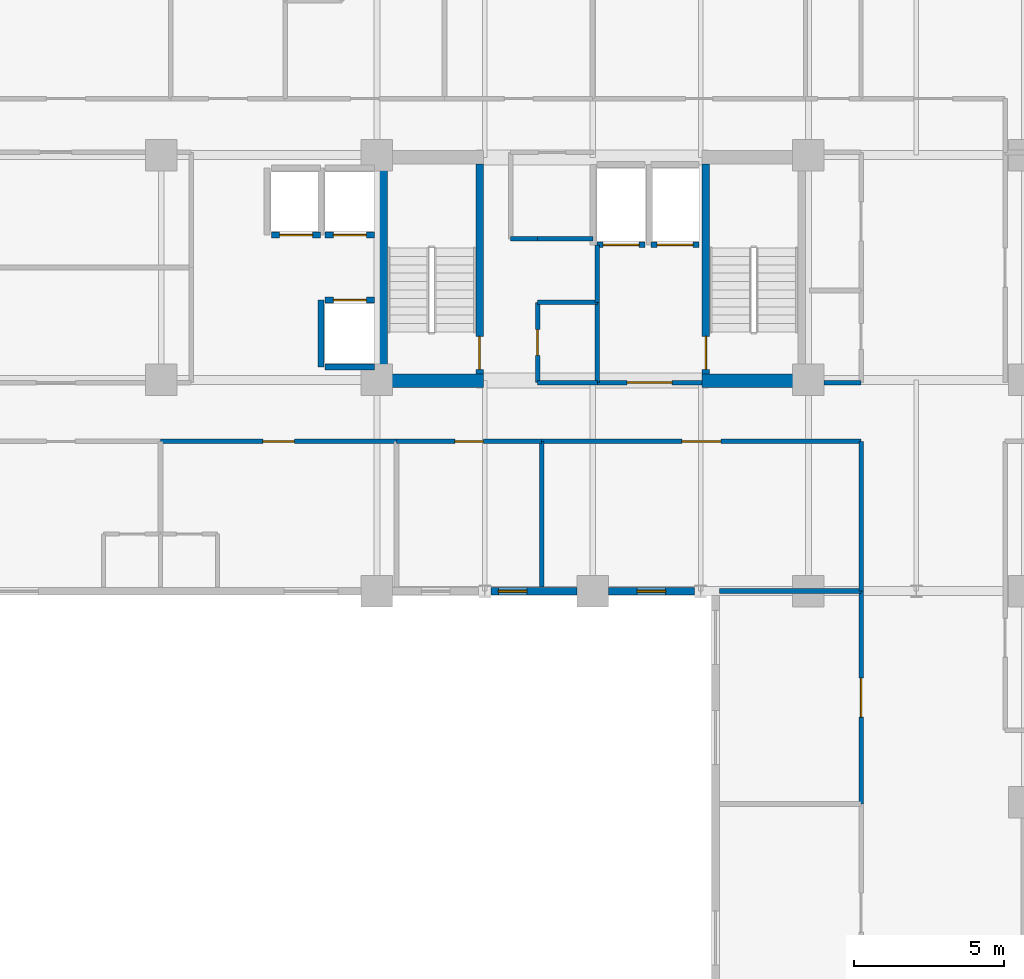
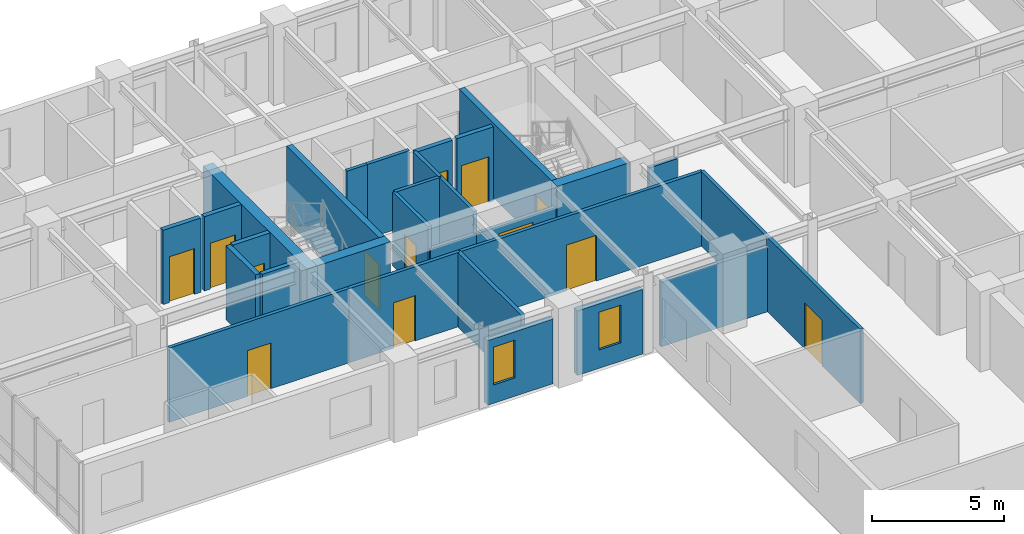
# One storey, part 11 of 19: 30 walls, 13 doors, 2 windows, 15 openings.
"""IFC4 building model written with IfcOpenShell, lengths in metres."""

from ifc_helpers import new_model, si_unit, direction, frame, frame_2d, origin, place, context, subcontext, project, spatial, rectangle, extrude, material, layer, layer_set, type_object, element, fill, save


model = new_model("IFC4")

# Units and contexts
model_context = context("Model", 3, precision=1e-05, world=origin(), true_north=direction((0.0, 1.0)))
body_context = subcontext(model_context, "Body", "Model", "MODEL_VIEW")
ifc_project = project(units=[si_unit("LENGTHUNIT", "METRE"), si_unit("AREAUNIT", "SQUARE_METRE"), si_unit("VOLUMEUNIT", "CUBIC_METRE"), si_unit("PLANEANGLEUNIT", "RADIAN"), si_unit("MASSUNIT", "GRAM", prefix="KILO")], contexts=[model_context])

# Site, building, storey
site_placement = place(None, origin())
site = spatial("IfcSite", under=ifc_project, at=site_placement, CompositionType="ELEMENT")
building_placement = place(site_placement, origin())
building = spatial("IfcBuilding", under=site, at=building_placement, Name="Kaliganga Portal Commons", CompositionType="ELEMENT")
storey_placement = place(building_placement, frame((0.0, 0.0, 184.60009765625)))
storey = spatial("IfcBuildingStorey", under=building, at=storey_placement, Name="L47", CompositionType="ELEMENT", Elevation=184.60009765625)

# Walls
ifc_material_1 = material(Name="Concrete C60/75", Category="concrete")
ifc_layer_1 = layer(ifc_material_1, 0.449951171875)
ifc_layer_set_1 = layer_set([ifc_layer_1], Name="Concrete C60/75")
wall_type_1 = type_object("IfcWallType", Name="WL-CORE-450", PredefinedType="SHEAR", material=ifc_layer_set_1)
wall_1_placement = place(storey_placement, frame((14.52490234375, 28.39990234375, 0.0), z_axis=(0.0, 0.0, 1.0), x_axis=(0.0, 1.0, 0.0)))
element("IfcWall", 1, at=wall_1_placement, inside=storey, type_object=wall_type_1, Name="Core A West Shear Wall L47", PredefinedType="SHEAR", context=body_context, shape_type="SweptSolid", body=[
    extrude(rectangle(XDim=7.900146484375, YDim=0.449951171875, at=frame_2d((3.9501953125, 0.0))), origin(), (0.0, 0.0, 1.0), 3.4599609375),
])
for number, where, z_axis, x_axis, name in (
    (2, (14.75, 28.625, 0.0), (0.0, 0.0, 1.0), (1.0, 0.0, 0.0), "Core A S-West Shear Wall L47"),
    (3, (25.25, 28.625, 0.0), (0.0, 0.0, 1.0), (1.0, 0.0, 0.0), "Core A S-East Shear Wall L47"),
):
    element("IfcWall", number, at=place(storey_placement, frame(where, z_axis=z_axis, x_axis=x_axis)), inside=storey, type_object=wall_type_1, Name=name, PredefinedType="SHEAR", context=body_context, shape_type="SweptSolid", body=[
        extrude(rectangle(XDim=3.199951171875, YDim=0.449951171875, at=frame_2d((1.60009765625, 0.0))), origin(), (0.0, 0.0, 1.0), 3.4599609375),
    ])

# Wall, opening, window
ifc_material_2 = material(Name="Insulated Aluminium-Clad Spandrel Assembly", Category="aluminium")
ifc_layer_2 = layer(ifc_material_2, 0.260009765625)
ifc_layer_set_2 = layer_set([ifc_layer_2], Name="Insulated Aluminium-Clad Spandrel Assembly")
wall_type_2 = type_object("IfcWallType", Name="WL-EXT-SPAND-260", PredefinedType="STANDARD", material=ifc_layer_set_2)
wall_2_placement = place(storey_placement, frame((21.073974609375, 21.60009765625, 0.0), z_axis=(0.0, 0.0, 1.0), x_axis=(-1.0, 0.0, 0.0)))
wall_2 = element("IfcWall", 4, at=wall_2_placement, inside=storey, type_object=wall_type_2, Name="Exterior Envelope Wall L47 P1-E04-S3", PredefinedType="STANDARD", context=body_context, shape_type="SweptSolid", body=[
    extrude(rectangle(XDim=2.87109375, YDim=0.260009765625, at=frame_2d((1.435546875, 0.0))), origin(), (0.0, 0.0, 1.0), 2.989990234375),
])
opening_1_placement = place(wall_2_placement, frame((1.672607421875, 0.0, 0.85009765625)))
opening_1 = element("IfcOpeningElement", 5, at=opening_1_placement, cuts=wall_2, Name="Opening W-04", PredefinedType="OPENING", context=body_context, shape_type="SweptSolid", body=[
    extrude(rectangle(XDim=0.949951171875, YDim=1.75, at=frame_2d((0.47509765625, 0.875))), frame((0.0, 0.14013671875, 0.0), z_axis=(0.0, -1.0, 0.0), x_axis=(1.0, 0.0, 0.0)), (0.0, 0.0, 1.0), 0.280029296875),
])
ifc_material_3 = material(Name="Thermally Broken Aluminium and Low-E Double Glazing", Category="aluminium")
window_type = type_object("IfcWindowType", Name="WIN-NARROW-950", PartitioningType="SINGLE_PANEL", PredefinedType="WINDOW", material=ifc_material_3)
window_1_placement = place(opening_1_placement, origin())
window_1 = element("IfcWindow", 6, at=window_1_placement, inside=storey, type_object=window_type, Name="Facade Window L47-P1E04S3-N2", OverallHeight=1.75, OverallWidth=0.949951171875, PartitioningType="SINGLE_PANEL", PredefinedType="WINDOW", context=body_context, shape_type="SweptSolid", body=[
    extrude(rectangle(XDim=0.949951171875, YDim=1.75, at=frame_2d((0.47509765625, 0.875))), frame((0.0, 0.030029296875, 0.0), z_axis=(0.0, -1.0, 0.0), x_axis=(1.0, 0.0, 0.0)), (0.0, 0.0, 1.0), 0.06005859375),
])
fill(opening_1, window_1)

wall_3_placement = place(storey_placement, frame((24.9970703125, 21.60009765625, 0.0), z_axis=(0.0, 0.0, 1.0), x_axis=(-1.0, 0.0, 0.0)))
wall_3 = element("IfcWall", 7, at=wall_3_placement, inside=storey, type_object=wall_type_2, Name="Exterior Envelope Wall L47 P1-E04-S4", PredefinedType="STANDARD", context=body_context, shape_type="SweptSolid", body=[
    extrude(rectangle(XDim=2.87109375, YDim=0.260009765625, at=frame_2d((1.435546875, 0.0))), origin(), (0.0, 0.0, 1.0), 2.989990234375),
])
opening_2_placement = place(wall_3_placement, frame((0.96044921875, 0.0, 0.85009765625)))
opening_2 = element("IfcOpeningElement", 8, at=opening_2_placement, cuts=wall_3, Name="Opening W-04", PredefinedType="OPENING", context=body_context, shape_type="SweptSolid", body=[
    extrude(rectangle(XDim=0.949951171875, YDim=1.75, at=frame_2d((0.47509765625, 0.875))), frame((0.0, 0.14013671875, 0.0), z_axis=(0.0, -1.0, 0.0), x_axis=(1.0, 0.0, 0.0)), (0.0, 0.0, 1.0), 0.280029296875),
])
window_2_placement = place(opening_2_placement, origin())
window_2 = element("IfcWindow", 9, at=window_2_placement, inside=storey, type_object=window_type, Name="Facade Window L47-P1E04S4-00", OverallHeight=1.75, OverallWidth=0.949951171875, PartitioningType="SINGLE_PANEL", PredefinedType="WINDOW", context=body_context, shape_type="SweptSolid", body=[
    extrude(rectangle(XDim=0.949951171875, YDim=1.75, at=frame_2d((0.47509765625, 0.875))), frame((0.0, 0.030029296875, 0.0), z_axis=(0.0, -1.0, 0.0), x_axis=(1.0, 0.0, 0.0)), (0.0, 0.0, 1.0), 0.06005859375),
])
fill(opening_2, window_2)

# Wall, opening, door
ifc_material_4 = material(Name="Fire-Rated Gypsum Board on Steel Stud", Category="steel")
ifc_layer_3 = layer(ifc_material_4, 0.14990234375)
ifc_layer_set_3 = layer_set([ifc_layer_3], Name="Fire-Rated Gypsum Board on Steel Stud")
wall_type_3 = type_object("IfcWallType", Name="WL-PART-CORR-150", PredefinedType="PARTITIONING", material=ifc_layer_set_3)
wall_4_placement = place(storey_placement, frame((19.89990234375, 26.60009765625, 0.0), z_axis=(0.0, 0.0, 1.0), x_axis=(1.0, 0.0, 0.0)))
wall_4 = element("IfcWall", 10, at=wall_4_placement, inside=storey, type_object=wall_type_3, Name="Interior Partition L47-010", PredefinedType="PARTITIONING", context=body_context, shape_type="SweptSolid", body=[
    extrude(rectangle(XDim=10.66015625, YDim=0.14990234375, at=frame_2d((5.330078125, 0.0))), origin(), (0.0, 0.0, 1.0), 3.43994140625),
])
opening_3_placement = place(wall_4_placement, frame((4.679931640625, 0.0, 0.0)))
opening_3 = element("IfcOpeningElement", 11, at=opening_3_placement, cuts=wall_4, Name="Opening RD-03", PredefinedType="OPENING", context=body_context, shape_type="SweptSolid", body=[
    extrude(rectangle(XDim=1.300048828125, YDim=2.1201171875, at=frame_2d((0.64990234375, 1.06005859375))), frame((0.0, 0.0849609375, 0.0), z_axis=(0.0, -1.0, 0.0), x_axis=(1.0, 0.0, 0.0)), (0.0, 0.0, 1.0), 0.169921875),
])
ifc_material_5 = material(Name="Glazed Timber Seminar Vision Door", Category="wood")
door_type_1 = type_object("IfcDoorType", Name="DR-STUDY-1300", OperationType="DOUBLE_DOOR_SINGLE_SWING", PredefinedType="DOOR", material=ifc_material_5)
door_1_placement = place(opening_3_placement, origin())
door_1 = element("IfcDoor", 12, at=door_1_placement, inside=storey, type_object=door_type_1, Name="Interior Door L47-AS04", OperationType="DOUBLE_DOOR_SINGLE_SWING", OverallHeight=2.1201171875, OverallWidth=1.300048828125, PredefinedType="DOOR", context=body_context, shape_type="SweptSolid", body=[
    extrude(rectangle(XDim=1.300048828125, YDim=2.1201171875, at=frame_2d((0.64990234375, 1.06005859375))), frame((0.0, 0.02490234375, 0.0), z_axis=(0.0, -1.0, 0.0), x_axis=(1.0, 0.0, 0.0)), (0.0, 0.0, 1.0), 0.050048828125),
])
fill(opening_3, door_1)

wall_5_placement = place(storey_placement, frame((7.179931640625, 26.60009765625, 0.0), z_axis=(0.0, 0.0, 1.0), x_axis=(1.0, 0.0, 0.0)))
wall_5 = element("IfcWall", 13, at=wall_5_placement, inside=storey, type_object=wall_type_3, Name="Interior Partition L47-013", PredefinedType="PARTITIONING", context=body_context, shape_type="SweptSolid", body=[
    extrude(rectangle(XDim=7.880126953125, YDim=0.14990234375, at=frame_2d((3.93994140625, 0.0))), origin(), (0.0, 0.0, 1.0), 3.43994140625),
])
opening_4_placement = place(wall_5_placement, frame((3.4150390625, 0.0, 0.0)))
opening_4 = element("IfcOpeningElement", 14, at=opening_4_placement, cuts=wall_5, Name="Opening UD-02", PredefinedType="OPENING", context=body_context, shape_type="SweptSolid", body=[
    extrude(rectangle(XDim=1.050048828125, YDim=2.1201171875, at=frame_2d((0.52490234375, 1.06005859375))), frame((0.0, 0.0849609375, 0.0), z_axis=(0.0, -1.0, 0.0), x_axis=(1.0, 0.0, 0.0)), (0.0, 0.0, 1.0), 0.169921875),
])
ifc_material_6 = material(Name="Accessible Wide-Leaf Acoustic Fire Door", Category="wood")
door_type_2 = type_object("IfcDoorType", Name="DR-ACC-1050", OperationType="NOTDEFINED", PredefinedType="DOOR", material=ifc_material_6)
door_2_placement = place(opening_4_placement, origin())
door_2 = element("IfcDoor", 15, at=door_2_placement, inside=storey, type_object=door_type_2, Name="Interior Door L47-AS02", OperationType="SINGLE_SWING_RIGHT", OverallHeight=2.1201171875, OverallWidth=1.050048828125, PredefinedType="DOOR", context=body_context, shape_type="SweptSolid", body=[
    extrude(rectangle(XDim=1.050048828125, YDim=2.1201171875, at=frame_2d((0.52490234375, 1.06005859375))), frame((0.0, 0.02490234375, 0.0), z_axis=(0.0, -1.0, 0.0), x_axis=(1.0, 0.0, 0.0)), (0.0, 0.0, 1.0), 0.050048828125),
])
fill(opening_4, door_2)

wall_6_placement = place(storey_placement, frame((30.56005859375, 14.5, 0.0), z_axis=(0.0, 0.0, 1.0), x_axis=(0.0, 1.0, 0.0)))
wall_6 = element("IfcWall", 16, at=wall_6_placement, inside=storey, type_object=wall_type_3, Name="Interior Partition L47-021", PredefinedType="PARTITIONING", context=body_context, shape_type="SweptSolid", body=[
    extrude(rectangle(XDim=7.10009765625, YDim=0.14990234375, at=frame_2d((3.550048828125, 0.0))), origin(), (0.0, 0.0, 1.0), 3.43994140625),
])
opening_5_placement = place(wall_6_placement, frame((2.89990234375, 0.0, 0.0)))
opening_5 = element("IfcOpeningElement", 17, at=opening_5_placement, cuts=wall_6, Name="Opening RD-03", PredefinedType="OPENING", context=body_context, shape_type="SweptSolid", body=[
    extrude(rectangle(XDim=1.300048828125, YDim=2.1201171875, at=frame_2d((0.64990234375, 1.06005859375))), frame((0.0, 0.0849609375, 0.0), z_axis=(0.0, -1.0, 0.0), x_axis=(1.0, 0.0, 0.0)), (0.0, 0.0, 1.0), 0.169921875),
])
door_3_placement = place(opening_5_placement, origin())
door_3 = element("IfcDoor", 18, at=door_3_placement, inside=storey, type_object=door_type_1, Name="Interior Door L47-KW02", OperationType="DOUBLE_DOOR_SINGLE_SWING", OverallHeight=2.1201171875, OverallWidth=1.300048828125, PredefinedType="DOOR", context=body_context, shape_type="SweptSolid", body=[
    extrude(rectangle(XDim=1.300048828125, YDim=2.1201171875, at=frame_2d((0.64990234375, 1.06005859375))), frame((0.0, 0.02490234375, 0.0), z_axis=(0.0, -1.0, 0.0), x_axis=(1.0, 0.0, 0.0)), (0.0, 0.0, 1.0), 0.050048828125),
])
fill(opening_5, door_3)

# Wall
wall_7_placement = place(storey_placement, frame((30.56005859375, 21.60009765625, 0.0), z_axis=(0.0, 0.0, 1.0), x_axis=(0.0, 1.0, 0.0)))
element("IfcWall", 19, at=wall_7_placement, inside=storey, type_object=wall_type_3, Name="Interior Partition L47-028", PredefinedType="PARTITIONING", context=body_context, shape_type="SweptSolid", body=[
    extrude(rectangle(XDim=5.0, YDim=0.14990234375, at=frame_2d((2.5, 0.0))), origin(), (0.0, 0.0, 1.0), 3.43994140625),
])

# Wall, opening, door
wall_8_placement = place(storey_placement, frame((15.06005859375, 26.60009765625, 0.0), z_axis=(0.0, 0.0, 1.0), x_axis=(1.0, 0.0, 0.0)))
wall_8 = element("IfcWall", 20, at=wall_8_placement, inside=storey, type_object=wall_type_3, Name="Interior Partition L47-033", PredefinedType="PARTITIONING", context=body_context, shape_type="SweptSolid", body=[
    extrude(rectangle(XDim=4.83984375, YDim=0.14990234375, at=frame_2d((2.419921875, 0.0))), origin(), (0.0, 0.0, 1.0), 3.43994140625),
])
opening_6_placement = place(wall_8_placement, frame((1.945068359375, 0.0, 0.0)))
opening_6 = element("IfcOpeningElement", 21, at=opening_6_placement, cuts=wall_8, Name="Opening UD-01", PredefinedType="OPENING", context=body_context, shape_type="SweptSolid", body=[
    extrude(rectangle(XDim=0.949951171875, YDim=2.10009765625, at=frame_2d((0.47509765625, 1.050048828125))), frame((0.0, 0.0849609375, 0.0), z_axis=(0.0, -1.0, 0.0), x_axis=(1.0, 0.0, 0.0)), (0.0, 0.0, 1.0), 0.169921875),
])
ifc_material_7 = material(Name="Solid-Core Timber Acoustic Fire Door", Category="wood")
door_type_3 = type_object("IfcDoorType", Name="DR-UNIT-950", OperationType="NOTDEFINED", PredefinedType="DOOR", material=ifc_material_7)
door_4_placement = place(opening_6_placement, origin())
door_4 = element("IfcDoor", 22, at=door_4_placement, inside=storey, type_object=door_type_3, Name="Interior Door L47-AS03", OperationType="SINGLE_SWING_RIGHT", OverallHeight=2.10009765625, OverallWidth=0.949951171875, PredefinedType="DOOR", context=body_context, shape_type="SweptSolid", body=[
    extrude(rectangle(XDim=0.949951171875, YDim=2.10009765625, at=frame_2d((0.47509765625, 1.050048828125))), frame((0.0, 0.02490234375, 0.0), z_axis=(0.0, -1.0, 0.0), x_axis=(1.0, 0.0, 0.0)), (0.0, 0.0, 1.0), 0.050048828125),
])
fill(opening_6, door_4)

wall_9_placement = place(storey_placement, frame((19.760009765625, 28.56005859375, 0.0), z_axis=(0.0, 0.0, 1.0), x_axis=(0.0, 1.0, 0.0)))
wall_9 = element("IfcWall", 23, at=wall_9_placement, inside=storey, type_object=wall_type_3, Name="Interior Partition L47-055", PredefinedType="PARTITIONING", context=body_context, shape_type="SweptSolid", body=[
    extrude(rectangle(XDim=2.679931640625, YDim=0.14990234375, at=frame_2d((1.33984375, 0.0))), origin(), (0.0, 0.0, 1.0), 3.43994140625),
])
opening_7_placement = place(wall_9_placement, frame((0.909912109375, 0.0, 0.0)))
opening_7 = element("IfcOpeningElement", 24, at=opening_7_placement, cuts=wall_9, Name="Opening WD-02", PredefinedType="OPENING", context=body_context, shape_type="SweptSolid", body=[
    extrude(rectangle(XDim=0.860107421875, YDim=2.02001953125, at=frame_2d((0.43017578125, 1.010009765625))), frame((0.0, 0.0849609375, 0.0), z_axis=(0.0, -1.0, 0.0), x_axis=(1.0, 0.0, 0.0)), (0.0, 0.0, 1.0), 0.169921875),
])
ifc_material_8 = material(Name="Fire-Rated Utility Closet Door", Category="wood")
door_type_4 = type_object("IfcDoorType", Name="DR-STORE-800", OperationType="NOTDEFINED", PredefinedType="DOOR", material=ifc_material_8)
door_5_placement = place(opening_7_placement, origin())
door_5 = element("IfcDoor", 25, at=door_5_placement, inside=storey, type_object=door_type_4, Name="Interior Door L47-CIN_A1", OperationType="SINGLE_SWING_RIGHT", OverallHeight=2.02001953125, OverallWidth=0.860107421875, PredefinedType="DOOR", context=body_context, shape_type="SweptSolid", body=[
    extrude(rectangle(XDim=0.860107421875, YDim=2.02001953125, at=frame_2d((0.43017578125, 1.010009765625))), frame((0.0, 0.02490234375, 0.0), z_axis=(0.0, -1.0, 0.0), x_axis=(1.0, 0.0, 0.0)), (0.0, 0.0, 1.0), 0.050048828125),
])
fill(opening_7, door_5)

# Walls
wall_10_placement = place(storey_placement, frame((21.760009765625, 28.56005859375, 0.0), z_axis=(0.0, 0.0, 1.0), x_axis=(0.0, 1.0, 0.0)))
element("IfcWall", 26, at=wall_10_placement, inside=storey, type_object=wall_type_3, Name="Interior Partition L47-056", PredefinedType="PARTITIONING", context=body_context, shape_type="SweptSolid", body=[
    extrude(rectangle(XDim=2.679931640625, YDim=0.14990234375, at=frame_2d((1.33984375, 0.0))), origin(), (0.0, 0.0, 1.0), 3.43994140625),
])
wall_11_placement = place(storey_placement, frame((19.760009765625, 28.56005859375, 0.0), z_axis=(0.0, 0.0, 1.0), x_axis=(1.0, 0.0, 0.0)))
element("IfcWall", 27, at=wall_11_placement, inside=storey, type_object=wall_type_3, Name="Interior Partition L47-059", PredefinedType="PARTITIONING", context=body_context, shape_type="SweptSolid", body=[
    extrude(rectangle(XDim=2.0, YDim=0.14990234375, at=frame_2d((1.0, 0.0))), origin(), (0.0, 0.0, 1.0), 2.43994140625),
])
wall_12_placement = place(storey_placement, frame((19.760009765625, 31.239990234375, 0.0), z_axis=(0.0, 0.0, 1.0), x_axis=(1.0, 0.0, 0.0)))
element("IfcWall", 28, at=wall_12_placement, inside=storey, type_object=wall_type_3, Name="Interior Partition L47-060", PredefinedType="PARTITIONING", context=body_context, shape_type="SweptSolid", body=[
    extrude(rectangle(XDim=2.0, YDim=0.14990234375, at=frame_2d((1.0, 0.0))), origin(), (0.0, 0.0, 1.0), 3.43994140625),
])
wall_13_placement = place(storey_placement, frame((19.760009765625, 33.360107421875, 0.0), z_axis=(0.0, 0.0, 1.0), x_axis=(1.0, 0.0, 0.0)))
element("IfcWall", 29, at=wall_13_placement, inside=storey, type_object=wall_type_3, Name="Interior Partition L47-061", PredefinedType="PARTITIONING", context=body_context, shape_type="SweptSolid", body=[
    extrude(rectangle(XDim=1.85009765625, YDim=0.14990234375, at=frame_2d((0.925048828125, 0.0))), origin(), (0.0, 0.0, 1.0), 3.43994140625),
])
wall_14_placement = place(storey_placement, frame((29.324951171875, 28.56005859375, 0.0), z_axis=(0.0, 0.0, 1.0), x_axis=(1.0, 0.0, 0.0)))
element("IfcWall", 30, at=wall_14_placement, inside=storey, type_object=wall_type_3, Name="Interior Partition L47-064", PredefinedType="PARTITIONING", context=body_context, shape_type="SweptSolid", body=[
    extrude(rectangle(XDim=1.235107421875, YDim=0.14990234375, at=frame_2d((0.61767578125, 0.0))), origin(), (0.0, 0.0, 1.0), 2.83984375),
])
wall_15_placement = place(storey_placement, frame((18.860107421875, 33.360107421875, 0.0), z_axis=(0.0, 0.0, 1.0), x_axis=(1.0, 0.0, 0.0)))
element("IfcWall", 31, at=wall_15_placement, inside=storey, type_object=wall_type_3, Name="Interior Partition L47-066", PredefinedType="PARTITIONING", context=body_context, shape_type="SweptSolid", body=[
    extrude(rectangle(XDim=0.89990234375, YDim=0.14990234375, at=frame_2d((0.449951171875, 0.0))), origin(), (0.0, 0.0, 1.0), 3.43994140625),
])

# Wall, opening, door
wall_16_placement = place(storey_placement, frame((21.760009765625, 28.56005859375, 0.0), z_axis=(0.0, 0.0, 1.0), x_axis=(1.0, 0.0, 0.0)))
wall_16 = element("IfcWall", 32, at=wall_16_placement, inside=storey, type_object=wall_type_3, Name="Interior Partition L47-089", PredefinedType="PARTITIONING", context=body_context, shape_type="SweptSolid", body=[
    extrude(rectangle(XDim=3.47998046875, YDim=0.14990234375, at=frame_2d((1.739990234375, 0.0))), origin(), (0.0, 0.0, 1.0), 2.43994140625),
])
opening_8_placement = place(wall_16_placement, frame((0.989990234375, 0.0, 0.0)))
opening_8 = element("IfcOpeningElement", 33, at=opening_8_placement, cuts=wall_16, Name="Opening FD-01", PredefinedType="OPENING", context=body_context, shape_type="SweptSolid", body=[
    extrude(rectangle(XDim=1.5, YDim=2.10009765625, at=frame_2d((0.75, 1.050048828125))), frame((0.0, 0.0849609375, 0.0), z_axis=(0.0, -1.0, 0.0), x_axis=(1.0, 0.0, 0.0)), (0.0, 0.0, 1.0), 0.169921875),
])
ifc_material_9 = material(Name="Fire-Rated Hardwood and Georgian-Wired Vision Panel", Category="wood")
door_type_5 = type_object("IfcDoorType", Name="DR-LOBBY-1500", OperationType="DOUBLE_DOOR_SINGLE_SWING", PredefinedType="DOOR", material=ifc_material_9)
door_6_placement = place(opening_8_placement, origin())
door_6 = element("IfcDoor", 34, at=door_6_placement, inside=storey, type_object=door_type_5, Name="Interior Door L47-FFLOB_A", OperationType="DOUBLE_DOOR_SINGLE_SWING", OverallHeight=2.10009765625, OverallWidth=1.5, PredefinedType="DOOR", context=body_context, shape_type="SweptSolid", body=[
    extrude(rectangle(XDim=1.5, YDim=2.10009765625, at=frame_2d((0.75, 1.050048828125))), frame((0.0, 0.02490234375, 0.0), z_axis=(0.0, -1.0, 0.0), x_axis=(1.0, 0.0, 0.0)), (0.0, 0.0, 1.0), 0.050048828125),
])
fill(opening_8, door_6)

# Walls
wall_17_placement = place(storey_placement, frame((21.760009765625, 31.239990234375, 0.0), z_axis=(0.0, 0.0, 1.0), x_axis=(0.0, 1.0, 0.0)))
element("IfcWall", 35, at=wall_17_placement, inside=storey, type_object=wall_type_3, Name="Interior Partition L47-094", PredefinedType="PARTITIONING", context=body_context, shape_type="SweptSolid", body=[
    extrude(rectangle(XDim=1.919921875, YDim=0.14990234375, at=frame_2d((0.9599609375, 0.0))), origin(), (0.0, 0.0, 1.0), 3.43994140625),
])
ifc_material_10 = material(Name="Twin-Stud Acoustic Gypsum Partition", Category="gypsum")
ifc_layer_4 = layer(ifc_material_10, 0.1650390625)
ifc_layer_set_4 = layer_set([ifc_layer_4], Name="Twin-Stud Acoustic Gypsum Partition")
wall_type_4 = type_object("IfcWallType", Name="WL-PART-UNIT-165", PredefinedType="PARTITIONING", material=ifc_layer_set_4)
wall_18_placement = place(storey_placement, frame((19.89990234375, 21.73193359375, 0.0), z_axis=(0.0, 0.0, 1.0), x_axis=(0.0, 1.0, 0.0)))
element("IfcWall", 36, at=wall_18_placement, inside=storey, type_object=wall_type_4, Name="Interior Partition L47-082", PredefinedType="PARTITIONING", context=body_context, shape_type="SweptSolid", body=[
    extrude(rectangle(XDim=4.8681640625, YDim=0.1650390625, at=frame_2d((2.43408203125, 0.0))), origin(), (0.0, 0.0, 1.0), 3.43994140625),
])
wall_19_placement = place(storey_placement, frame((25.83203125, 21.60009765625, 0.0), z_axis=(0.0, 0.0, 1.0), x_axis=(1.0, 0.0, 0.0)))
element("IfcWall", 37, at=wall_19_placement, inside=storey, type_object=wall_type_4, Name="Interior Partition L47-084", PredefinedType="PARTITIONING", context=body_context, shape_type="SweptSolid", body=[
    extrude(rectangle(XDim=4.72802734375, YDim=0.1650390625, at=frame_2d((2.364013671875, 0.0))), origin(), (0.0, 0.0, 1.0), 2.989990234375),
])

# Wall, opening, door
ifc_material_11 = material(Name="Fire-Rated Shaftwall Masonry Assembly", Category="masonry")
ifc_layer_5 = layer(ifc_material_11, 0.199951171875)
ifc_layer_set_5 = layer_set([ifc_layer_5], Name="Fire-Rated Shaftwall Masonry Assembly")
wall_type_5 = type_object("IfcWallType", Name="WL-SHAFT-200", PredefinedType="PARTITIONING", material=ifc_layer_set_5)
wall_20_placement = place(storey_placement, frame((12.675048828125, 33.485107421875, 0.0), z_axis=(0.0, 0.0, 1.0), x_axis=(1.0, 0.0, 0.0)))
wall_20 = element("IfcWall", 38, at=wall_20_placement, inside=storey, type_object=wall_type_5, Name="Lift PL-A3 Hoistway Shaft Wall L47-S", PredefinedType="PARTITIONING", context=body_context, shape_type="SweptSolid", body=[
    extrude(rectangle(XDim=1.64990234375, YDim=0.199951171875, at=frame_2d((0.824951171875, 0.0))), origin(), (0.0, 0.0, 1.0), 3.43994140625),
])
opening_9_placement = place(wall_20_placement, frame((0.27490234375, 0.0, 0.0)))
opening_9 = element("IfcOpeningElement", 39, at=opening_9_placement, cuts=wall_20, Name="Opening LD-01", PredefinedType="OPENING", context=body_context, shape_type="SweptSolid", body=[
    extrude(rectangle(XDim=1.10009765625, YDim=2.1201171875, at=frame_2d((0.550048828125, 1.06005859375))), frame((0.0, 0.10986328125, 0.0), z_axis=(0.0, -1.0, 0.0), x_axis=(1.0, 0.0, 0.0)), (0.0, 0.0, 1.0), 0.219970703125),
])
ifc_material_12 = material(Name="Brushed Stainless Steel 316 Lift Landing Door", Category="steel")
door_type_6 = type_object("IfcDoorType", Name="DR-LIFT-1100", OperationType="SLIDING_TO_LEFT", PredefinedType="DOOR", material=ifc_material_12)
door_7_placement = place(opening_9_placement, origin())
door_7 = element("IfcDoor", 40, at=door_7_placement, inside=storey, type_object=door_type_6, Name="Lift PL-A3 Sliding Landing Door L47", OperationType="SLIDING_TO_LEFT", OverallHeight=2.1201171875, OverallWidth=1.10009765625, PredefinedType="DOOR", context=body_context, shape_type="SweptSolid", body=[
    extrude(rectangle(XDim=1.10009765625, YDim=2.1201171875, at=frame_2d((0.550048828125, 1.06005859375))), frame((0.0, 0.02490234375, 0.0), z_axis=(0.0, -1.0, 0.0), x_axis=(1.0, 0.0, 0.0)), (0.0, 0.0, 1.0), 0.050048828125),
])
fill(opening_9, door_7)

# Wall
wall_21_placement = place(storey_placement, frame((12.675048828125, 29.0849609375, 0.0), z_axis=(0.0, 0.0, 1.0), x_axis=(1.0, 0.0, 0.0)))
element("IfcWall", 41, at=wall_21_placement, inside=storey, type_object=wall_type_5, Name="Lift PL-A4 Hoistway Shaft Wall L47-S", PredefinedType="PARTITIONING", context=body_context, shape_type="SweptSolid", body=[
    extrude(rectangle(XDim=1.64990234375, YDim=0.199951171875, at=frame_2d((0.824951171875, 0.0))), origin(), (0.0, 0.0, 1.0), 3.43994140625),
])

# Wall, opening, door
wall_22_placement = place(storey_placement, frame((12.675048828125, 31.31494140625, 0.0), z_axis=(0.0, 0.0, 1.0), x_axis=(1.0, 0.0, 0.0)))
wall_22 = element("IfcWall", 42, at=wall_22_placement, inside=storey, type_object=wall_type_5, Name="Lift PL-A4 Hoistway Shaft Wall L47-N", PredefinedType="PARTITIONING", context=body_context, shape_type="SweptSolid", body=[
    extrude(rectangle(XDim=1.64990234375, YDim=0.199951171875, at=frame_2d((0.824951171875, 0.0))), origin(), (0.0, 0.0, 1.0), 3.43994140625),
])
opening_10_placement = place(wall_22_placement, frame((0.27490234375, 0.0, 0.0)))
opening_10 = element("IfcOpeningElement", 43, at=opening_10_placement, cuts=wall_22, Name="Opening LD-01", PredefinedType="OPENING", context=body_context, shape_type="SweptSolid", body=[
    extrude(rectangle(XDim=1.10009765625, YDim=2.1201171875, at=frame_2d((0.550048828125, 1.06005859375))), frame((0.0, 0.10986328125, 0.0), z_axis=(0.0, -1.0, 0.0), x_axis=(1.0, 0.0, 0.0)), (0.0, 0.0, 1.0), 0.219970703125),
])
door_8_placement = place(opening_10_placement, origin())
door_8 = element("IfcDoor", 44, at=door_8_placement, inside=storey, type_object=door_type_6, Name="Lift PL-A4 Sliding Landing Door L47", OperationType="SLIDING_TO_LEFT", OverallHeight=2.1201171875, OverallWidth=1.10009765625, PredefinedType="DOOR", context=body_context, shape_type="SweptSolid", body=[
    extrude(rectangle(XDim=1.10009765625, YDim=2.1201171875, at=frame_2d((0.550048828125, 1.06005859375))), frame((0.0, 0.02490234375, 0.0), z_axis=(0.0, -1.0, 0.0), x_axis=(1.0, 0.0, 0.0)), (0.0, 0.0, 1.0), 0.050048828125),
])
fill(opening_10, door_8)

# Wall
wall_23_placement = place(storey_placement, frame((12.534912109375, 29.0849609375, 0.0), z_axis=(0.0, 0.0, 1.0), x_axis=(0.0, 1.0, 0.0)))
element("IfcWall", 45, at=wall_23_placement, inside=storey, type_object=wall_type_5, Name="Lift PL-A4 Hoistway Shaft Wall L47-W", PredefinedType="PARTITIONING", context=body_context, shape_type="SweptSolid", body=[
    extrude(rectangle(XDim=2.22998046875, YDim=0.199951171875, at=frame_2d((1.114990234375, 0.0))), origin(), (0.0, 0.0, 1.0), 3.43994140625),
])

# Wall, opening, door
wall_24_placement = place(storey_placement, frame((10.875, 33.485107421875, 0.0), z_axis=(0.0, 0.0, 1.0), x_axis=(1.0, 0.0, 0.0)))
wall_24 = element("IfcWall", 46, at=wall_24_placement, inside=storey, type_object=wall_type_5, Name="Lift PL-OBS Hoistway Shaft Wall L47-S", PredefinedType="PARTITIONING", context=body_context, shape_type="SweptSolid", body=[
    extrude(rectangle(XDim=1.64990234375, YDim=0.199951171875, at=frame_2d((0.824951171875, 0.0))), origin(), (0.0, 0.0, 1.0), 3.43994140625),
])
opening_11_placement = place(wall_24_placement, frame((0.27490234375, 0.0, 0.0)))
opening_11 = element("IfcOpeningElement", 47, at=opening_11_placement, cuts=wall_24, Name="Opening LD-01", PredefinedType="OPENING", context=body_context, shape_type="SweptSolid", body=[
    extrude(rectangle(XDim=1.10009765625, YDim=2.1201171875, at=frame_2d((0.550048828125, 1.06005859375))), frame((0.0, 0.10986328125, 0.0), z_axis=(0.0, -1.0, 0.0), x_axis=(1.0, 0.0, 0.0)), (0.0, 0.0, 1.0), 0.219970703125),
])
door_9_placement = place(opening_11_placement, origin())
door_9 = element("IfcDoor", 48, at=door_9_placement, inside=storey, type_object=door_type_6, Name="Lift PL-OBS Sliding Landing Door L47", OperationType="SLIDING_TO_LEFT", OverallHeight=2.1201171875, OverallWidth=1.10009765625, PredefinedType="DOOR", context=body_context, shape_type="SweptSolid", body=[
    extrude(rectangle(XDim=1.10009765625, YDim=2.1201171875, at=frame_2d((0.550048828125, 1.06005859375))), frame((0.0, 0.02490234375, 0.0), z_axis=(0.0, -1.0, 0.0), x_axis=(1.0, 0.0, 0.0)), (0.0, 0.0, 1.0), 0.050048828125),
])
fill(opening_11, door_9)

wall_25_placement = place(storey_placement, frame((21.75, 33.159912109375, 0.0), z_axis=(0.0, 0.0, 1.0), x_axis=(1.0, 0.0, 0.0)))
wall_25 = element("IfcWall", 49, at=wall_25_placement, inside=storey, type_object=wall_type_5, Name="Lift FFL-1 Hoistway Shaft Wall L47-S", PredefinedType="PARTITIONING", context=body_context, shape_type="SweptSolid", body=[
    extrude(rectangle(XDim=1.60009765625, YDim=0.199951171875, at=frame_2d((0.800048828125, 0.0))), origin(), (0.0, 0.0, 1.0), 3.43994140625),
])
opening_12_placement = place(wall_25_placement, frame((0.199951171875, 0.0, 0.0)))
opening_12 = element("IfcOpeningElement", 50, at=opening_12_placement, cuts=wall_25, Name="Opening LD-02", PredefinedType="OPENING", context=body_context, shape_type="SweptSolid", body=[
    extrude(rectangle(XDim=1.199951171875, YDim=2.1201171875, at=frame_2d((0.60009765625, 1.06005859375))), frame((0.0, 0.10986328125, 0.0), z_axis=(0.0, -1.0, 0.0), x_axis=(1.0, 0.0, 0.0)), (0.0, 0.0, 1.0), 0.219970703125),
])
ifc_material_13 = material(Name="Brushed Stainless Steel 316 Stretcher Lift Landing Door", Category="steel")
door_type_7 = type_object("IfcDoorType", Name="DR-LIFT-1200", OperationType="SLIDING_TO_RIGHT", PredefinedType="DOOR", material=ifc_material_13)
door_10_placement = place(opening_12_placement, origin())
door_10 = element("IfcDoor", 51, at=door_10_placement, inside=storey, type_object=door_type_7, Name="Lift FFL-1 Sliding Landing Door L47", OperationType="SLIDING_TO_RIGHT", OverallHeight=2.1201171875, OverallWidth=1.199951171875, PredefinedType="DOOR", context=body_context, shape_type="SweptSolid", body=[
    extrude(rectangle(XDim=1.199951171875, YDim=2.1201171875, at=frame_2d((0.60009765625, 1.06005859375))), frame((0.0, 0.02490234375, 0.0), z_axis=(0.0, -1.0, 0.0), x_axis=(1.0, 0.0, 0.0)), (0.0, 0.0, 1.0), 0.050048828125),
])
fill(opening_12, door_10)

wall_26_placement = place(storey_placement, frame((23.550048828125, 33.159912109375, 0.0), z_axis=(0.0, 0.0, 1.0), x_axis=(1.0, 0.0, 0.0)))
wall_26 = element("IfcWall", 52, at=wall_26_placement, inside=storey, type_object=wall_type_5, Name="Lift FFL-2 Hoistway Shaft Wall L47-S", PredefinedType="PARTITIONING", context=body_context, shape_type="SweptSolid", body=[
    extrude(rectangle(XDim=1.599853515625, YDim=0.199951171875, at=frame_2d((0.7998046875, 0.0))), origin(), (0.0, 0.0, 1.0), 3.43994140625),
])
opening_13_placement = place(wall_26_placement, frame((0.199951171875, 0.0, 0.0)))
opening_13 = element("IfcOpeningElement", 53, at=opening_13_placement, cuts=wall_26, Name="Opening LD-02", PredefinedType="OPENING", context=body_context, shape_type="SweptSolid", body=[
    extrude(rectangle(XDim=1.199951171875, YDim=2.1201171875, at=frame_2d((0.60009765625, 1.06005859375))), frame((0.0, 0.10986328125, 0.0), z_axis=(0.0, -1.0, 0.0), x_axis=(1.0, 0.0, 0.0)), (0.0, 0.0, 1.0), 0.219970703125),
])
door_11_placement = place(opening_13_placement, origin())
door_11 = element("IfcDoor", 54, at=door_11_placement, inside=storey, type_object=door_type_7, Name="Lift FFL-2 Sliding Landing Door L47", OperationType="SLIDING_TO_RIGHT", OverallHeight=2.1201171875, OverallWidth=1.199951171875, PredefinedType="DOOR", context=body_context, shape_type="SweptSolid", body=[
    extrude(rectangle(XDim=1.199951171875, YDim=2.1201171875, at=frame_2d((0.60009765625, 1.06005859375))), frame((0.0, 0.02490234375, 0.0), z_axis=(0.0, -1.0, 0.0), x_axis=(1.0, 0.0, 0.0)), (0.0, 0.0, 1.0), 0.050048828125),
])
fill(opening_13, door_11)

ifc_material_14 = material(Name="Concrete C50/60", Category="concrete")
ifc_layer_6 = layer(ifc_material_14, 0.25)
ifc_layer_set_6 = layer_set([ifc_layer_6], Name="Concrete C50/60")
wall_type_6 = type_object("IfcWallType", Name="WL-STAIR-250", PredefinedType="SHEAR", material=ifc_layer_set_6)
wall_27_placement = place(storey_placement, frame((17.824951171875, 28.85009765625, 0.0), z_axis=(0.0, 0.0, 1.0), x_axis=(0.0, 1.0, 0.0)))
wall_27 = element("IfcWall", 55, at=wall_27_placement, inside=storey, type_object=wall_type_6, Name="Stair A1 Enclosure Shear Wall L47", PredefinedType="SHEAR", context=body_context, shape_type="SweptSolid", body=[
    extrude(rectangle(XDim=7.0, YDim=0.25, at=frame_2d((3.5, 0.0))), origin(), (0.0, 0.0, 1.0), 3.4599609375),
])
opening_14_placement = place(wall_27_placement, frame((0.14990234375, 0.0, 0.0)))
opening_14 = element("IfcOpeningElement", 56, at=opening_14_placement, cuts=wall_27, Name="Opening SD-01", PredefinedType="OPENING", context=body_context, shape_type="SweptSolid", body=[
    extrude(rectangle(XDim=1.10009765625, YDim=2.080078125, at=frame_2d((0.550048828125, 1.0400390625))), frame((0.0, 0.135009765625, 0.0), z_axis=(0.0, -1.0, 0.0), x_axis=(1.0, 0.0, 0.0)), (0.0, 0.0, 1.0), 0.27001953125),
])
ifc_material_15 = material(Name="Galvanized Steel Fire Door Leaf and Frame", Category="steel")
door_type_8 = type_object("IfcDoorType", Name="DR-STAIR-1100", OperationType="NOTDEFINED", PredefinedType="DOOR", material=ifc_material_15)
door_12_placement = place(opening_14_placement, origin())
door_12 = element("IfcDoor", 57, at=door_12_placement, inside=storey, type_object=door_type_8, Name="Protected Stair ST-A1 Fire Door L47", OperationType="SINGLE_SWING_LEFT", OverallHeight=2.080078125, OverallWidth=1.10009765625, PredefinedType="DOOR", context=body_context, shape_type="SweptSolid", body=[
    extrude(rectangle(XDim=1.10009765625, YDim=2.080078125, at=frame_2d((0.550048828125, 1.0400390625))), frame((0.0, 0.02490234375, 0.0), z_axis=(0.0, -1.0, 0.0), x_axis=(1.0, 0.0, 0.0)), (0.0, 0.0, 1.0), 0.050048828125),
])
fill(opening_14, door_12)

wall_28_placement = place(storey_placement, frame((25.375, 28.85009765625, 0.0), z_axis=(0.0, 0.0, 1.0), x_axis=(0.0, 1.0, 0.0)))
wall_28 = element("IfcWall", 58, at=wall_28_placement, inside=storey, type_object=wall_type_6, Name="Stair A2 Enclosure Shear Wall L47", PredefinedType="SHEAR", context=body_context, shape_type="SweptSolid", body=[
    extrude(rectangle(XDim=7.0, YDim=0.25, at=frame_2d((3.5, 0.0))), origin(), (0.0, 0.0, 1.0), 3.4599609375),
])
opening_15_placement = place(wall_28_placement, frame((0.14990234375, 0.0, 0.0)))
opening_15 = element("IfcOpeningElement", 59, at=opening_15_placement, cuts=wall_28, Name="Opening SD-01", PredefinedType="OPENING", context=body_context, shape_type="SweptSolid", body=[
    extrude(rectangle(XDim=1.10009765625, YDim=2.080078125, at=frame_2d((0.550048828125, 1.0400390625))), frame((0.0, 0.135009765625, 0.0), z_axis=(0.0, -1.0, 0.0), x_axis=(1.0, 0.0, 0.0)), (0.0, 0.0, 1.0), 0.27001953125),
])
door_13_placement = place(opening_15_placement, origin())
door_13 = element("IfcDoor", 60, at=door_13_placement, inside=storey, type_object=door_type_8, Name="Protected Stair ST-A2 Fire Door L47", OperationType="SINGLE_SWING_RIGHT", OverallHeight=2.080078125, OverallWidth=1.10009765625, PredefinedType="DOOR", context=body_context, shape_type="SweptSolid", body=[
    extrude(rectangle(XDim=1.10009765625, YDim=2.080078125, at=frame_2d((0.550048828125, 1.0400390625))), frame((0.0, 0.02490234375, 0.0), z_axis=(0.0, -1.0, 0.0), x_axis=(1.0, 0.0, 0.0)), (0.0, 0.0, 1.0), 0.050048828125),
])
fill(opening_15, door_13)

save(model, "model.ifc")
